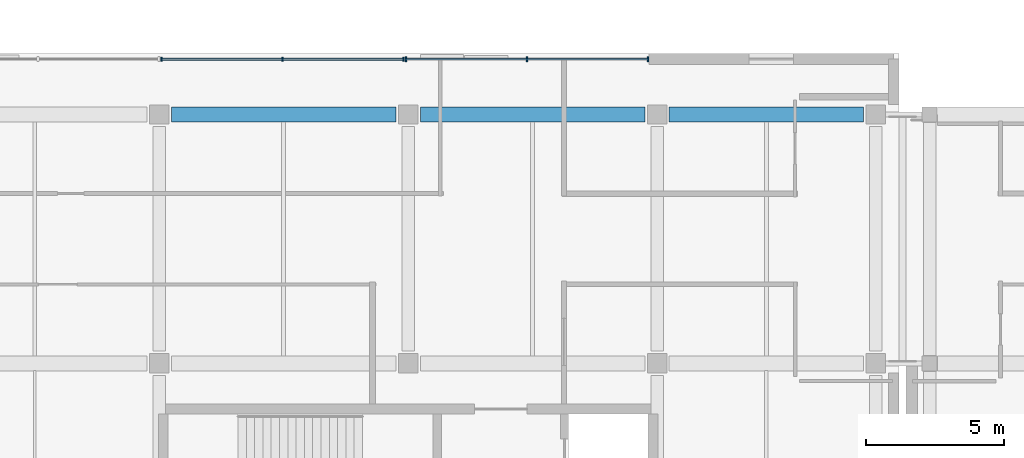
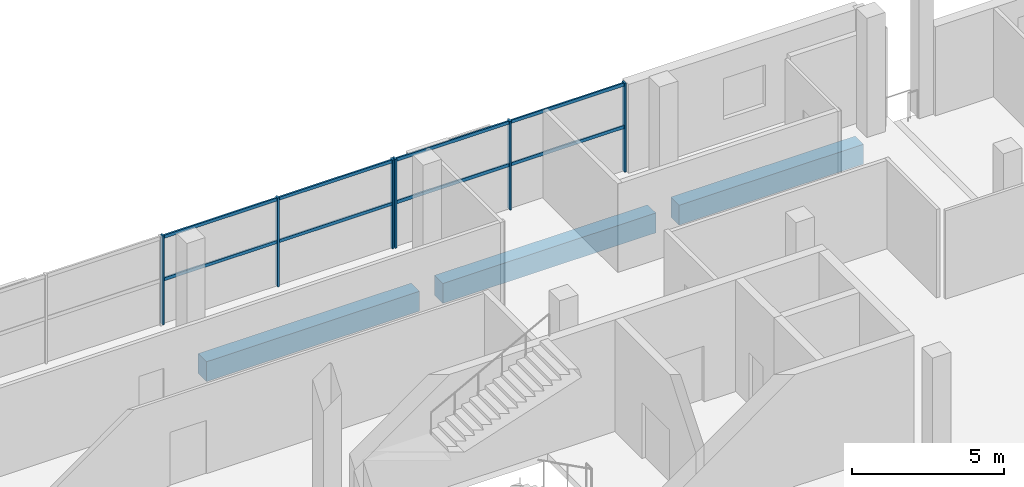
# One storey, part 51 of 111: 10 members, 3 beams, 2 elements without a shape of their own.
"""IFC4 building model written with IfcOpenShell, lengths in metres."""

from ifc_helpers import new_model, si_unit, direction, frame, origin, origin_2d, place, context, subcontext, project, spatial, rectangle, extrude, material, material_profile, profile_set, type_object, element, aggregate, save


model = new_model("IFC4")

# Units and contexts
model_context = context("Model", 3, precision=1e-05, world=origin(), true_north=direction((0.0, 1.0)))
body_context = subcontext(model_context, "Body", "Model", "MODEL_VIEW")
ifc_project = project(units=[si_unit("LENGTHUNIT", "METRE"), si_unit("AREAUNIT", "SQUARE_METRE"), si_unit("VOLUMEUNIT", "CUBIC_METRE"), si_unit("PLANEANGLEUNIT", "RADIAN"), si_unit("MASSUNIT", "GRAM", prefix="KILO"), si_unit("THERMODYNAMICTEMPERATUREUNIT", "KELVIN"), si_unit("POWERUNIT", "WATT")], contexts=[model_context])

# Site, building, storey
site_placement = place(None, origin())
site = spatial("IfcSite", under=ifc_project, at=site_placement, CompositionType="ELEMENT")
building_placement = place(site_placement, origin())
building = spatial("IfcBuilding", under=site, at=building_placement, Name="Sindhuravela Promenade Stadium", CompositionType="ELEMENT")
storey_placement = place(building_placement, frame((0.0, 0.0, 9.60009765625)))
storey = spatial("IfcBuildingStorey", under=building, at=storey_placement, Name="L02", CompositionType="ELEMENT", Elevation=9.60009765625)

# Curtain wall, members
ifc_material_1 = material(Name="Anodised architectural aluminium 6063-T6", Category="aluminium")
curtain_wall_type_1 = type_object("IfcCurtainWallType", Name="CW-MOD-4", PredefinedType="NOTDEFINED", material=ifc_material_1)
curtain_wall_1_placement = place(storey_placement, origin())
curtain_wall_1 = element("IfcCurtainWall", 1, at=curtain_wall_1_placement, inside=storey, type_object=curtain_wall_type_1, Name="Bronze curtain wall CW-NORTH-L02-163", PredefinedType="NOTDEFINED")
ifc_material_profile_1 = material_profile(ifc_material_1, rectangle(XDim=0.06494140625, YDim=0.14990234375, at=origin_2d()), Name="ALU MULL 65x150")
ifc_profile_set_1 = profile_set([ifc_material_profile_1], Name="Anodised architectural aluminium 6063-T6")
member_type_1 = type_object("IfcMemberType", Name="CW-MUL-2", PredefinedType="MULLION", material=ifc_profile_set_1)
member_1_placement = place(storey_placement, frame((135.08251953125, 155.0, 0.0), z_axis=(0.0, 0.0, 1.0), x_axis=(1.0, 0.0, 0.0)))
member_1 = element("IfcMember", 2, at=member_1_placement, type_object=member_type_1, Name="Curtain wall mullion CW-NORTH-L02-163-M1", PredefinedType="MULLION", context=body_context, shape_type="SweptSolid", body=[
    extrude(rectangle(XDim=0.06494140625, YDim=0.14990234375, at=origin_2d()), origin(), (0.0, 0.0, 1.0), 3.579833984375),
])
member_2_placement = place(storey_placement, frame((139.456298828125, 155.0, 0.0), z_axis=(0.0, 0.0, 1.0), x_axis=(1.0, 0.0, 0.0)))
member_2 = element("IfcMember", 3, at=member_2_placement, type_object=member_type_1, Name="Curtain wall mullion CW-NORTH-L02-163-M2", PredefinedType="MULLION", context=body_context, shape_type="SweptSolid", body=[
    extrude(rectangle(XDim=0.06494140625, YDim=0.14990234375, at=origin_2d()), origin(), (0.0, 0.0, 1.0), 3.579833984375),
])
member_3_placement = place(storey_placement, frame((143.830078125, 155.0, 0.0), z_axis=(0.0, 0.0, 1.0), x_axis=(1.0, 0.0, 0.0)))
member_3 = element("IfcMember", 4, at=member_3_placement, type_object=member_type_1, Name="Curtain wall mullion CW-NORTH-L02-163-M3", PredefinedType="MULLION", context=body_context, shape_type="SweptSolid", body=[
    extrude(rectangle(XDim=0.06494140625, YDim=0.14990234375, at=origin_2d()), origin(), (0.0, 0.0, 1.0), 3.579833984375),
])

curtain_wall_type_2 = type_object("IfcCurtainWallType", Name="CW-MOD-5", PredefinedType="NOTDEFINED", material=ifc_material_1)
curtain_wall_2_placement = place(storey_placement, origin())
curtain_wall_2 = element("IfcCurtainWall", 5, at=curtain_wall_2_placement, inside=storey, type_object=curtain_wall_type_2, Name="Bronze curtain wall CW-NORTH-L02-164", PredefinedType="NOTDEFINED")
ifc_material_profile_2 = material_profile(ifc_material_1, rectangle(XDim=0.06005859375, YDim=0.179931640625, at=origin_2d()), Name="ALU M60x180")
ifc_profile_set_2 = profile_set([ifc_material_profile_2], Name="Anodised architectural aluminium 6063-T6")
member_type_2 = type_object("IfcMemberType", Name="CW-MUL-3", PredefinedType="MULLION", material=ifc_profile_set_2)
member_4_placement = place(storey_placement, frame((143.919921875, 155.0, 0.0), z_axis=(0.0, 0.0, 1.0), x_axis=(1.0, 0.0, 0.0)))
member_4 = element("IfcMember", 6, at=member_4_placement, type_object=member_type_2, Name="Curtain wall mullion CW-NORTH-L02-164-M1", PredefinedType="MULLION", context=body_context, shape_type="SweptSolid", body=[
    extrude(rectangle(XDim=0.06005859375, YDim=0.179931640625, at=origin_2d()), origin(), (0.0, 0.0, 1.0), 3.579833984375),
])
member_5_placement = place(storey_placement, frame((148.293701171875, 155.0, 0.0), z_axis=(0.0, 0.0, 1.0), x_axis=(1.0, 0.0, 0.0)))
member_5 = element("IfcMember", 7, at=member_5_placement, type_object=member_type_2, Name="Curtain wall mullion CW-NORTH-L02-164-M2", PredefinedType="MULLION", context=body_context, shape_type="SweptSolid", body=[
    extrude(rectangle(XDim=0.06005859375, YDim=0.179931640625, at=origin_2d()), origin(), (0.0, 0.0, 1.0), 3.579833984375),
])
member_6_placement = place(storey_placement, frame((152.66748046875, 155.0, 0.0), z_axis=(0.0, 0.0, 1.0), x_axis=(1.0, 0.0, 0.0)))
member_6 = element("IfcMember", 8, at=member_6_placement, type_object=member_type_2, Name="Curtain wall mullion CW-NORTH-L02-164-M3", PredefinedType="MULLION", context=body_context, shape_type="SweptSolid", body=[
    extrude(rectangle(XDim=0.06005859375, YDim=0.179931640625, at=origin_2d()), origin(), (0.0, 0.0, 1.0), 3.579833984375),
])

# Member
ifc_material_profile_3 = material_profile(ifc_material_1, rectangle(XDim=0.06494140625, YDim=0.125, at=origin_2d()), Name="ALU TRAN 65x125")
ifc_profile_set_3 = profile_set([ifc_material_profile_3], Name="Anodised architectural aluminium 6063-T6")
member_type_3 = type_object("IfcMemberType", Name="CW-TRN-2", PredefinedType="USERDEFINED", material=ifc_profile_set_3)
member_7_placement = place(storey_placement, frame((135.0576171875, 155.0, 1.789794921875), z_axis=(1.0, 0.0, 0.0), x_axis=(0.0, 1.0, 0.0)))
member_7 = element("IfcMember", 9, at=member_7_placement, type_object=member_type_3, Name="Curtain wall transom CW-NORTH-L02-163-T1", ObjectType="TRANSOM", PredefinedType="USERDEFINED", context=body_context, shape_type="SweptSolid", body=[
    extrude(rectangle(XDim=0.06494140625, YDim=0.125, at=origin_2d()), origin(), (0.0, 0.0, 1.0), 8.79736328125),
])

member_8_placement = place(storey_placement, frame((135.0576171875, 155.0, 3.5), z_axis=(1.0, 0.0, 0.0), x_axis=(0.0, 1.0, 0.0)))
member_8 = element("IfcMember", 10, at=member_8_placement, type_object=member_type_3, Name="Curtain wall transom CW-NORTH-L02-163-T2", ObjectType="TRANSOM", PredefinedType="USERDEFINED", context=body_context, shape_type="SweptSolid", body=[
    extrude(rectangle(XDim=0.06494140625, YDim=0.125, at=origin_2d()), origin(), (0.0, 0.0, 1.0), 8.79736328125),
])

aggregate(curtain_wall_1, [member_1, member_2, member_3, member_7, member_8])

ifc_material_profile_4 = material_profile(ifc_material_1, rectangle(XDim=0.06005859375, YDim=0.1298828125, at=origin_2d()), Name="ALU T60x130")
ifc_profile_set_4 = profile_set([ifc_material_profile_4], Name="Anodised architectural aluminium 6063-T6")
member_type_4 = type_object("IfcMemberType", Name="CW-TRN-3", PredefinedType="USERDEFINED", material=ifc_profile_set_4)
member_9_placement = place(storey_placement, frame((143.89501953125, 155.0, 1.789794921875), z_axis=(1.0, 0.0, 0.0), x_axis=(0.0, 1.0, 0.0)))
member_9 = element("IfcMember", 11, at=member_9_placement, type_object=member_type_4, Name="Curtain wall transom CW-NORTH-L02-164-T1", ObjectType="TRANSOM", PredefinedType="USERDEFINED", context=body_context, shape_type="SweptSolid", body=[
    extrude(rectangle(XDim=0.06005859375, YDim=0.1298828125, at=origin_2d()), origin(), (0.0, 0.0, 1.0), 8.79736328125),
])

member_10_placement = place(storey_placement, frame((143.89501953125, 155.0, 3.5), z_axis=(1.0, 0.0, 0.0), x_axis=(0.0, 1.0, 0.0)))
member_10 = element("IfcMember", 12, at=member_10_placement, type_object=member_type_4, Name="Curtain wall transom CW-NORTH-L02-164-T2", ObjectType="TRANSOM", PredefinedType="USERDEFINED", context=body_context, shape_type="SweptSolid", body=[
    extrude(rectangle(XDim=0.06005859375, YDim=0.1298828125, at=origin_2d()), origin(), (0.0, 0.0, 1.0), 8.79736328125),
])

aggregate(curtain_wall_2, [member_4, member_5, member_6, member_9, member_10])

# Beams
ifc_material_2 = material(Name="Concrete M40", Category="concrete")
ifc_material_profile_5 = material_profile(ifc_material_2, rectangle(XDim=0.550048828125, YDim=0.800048828125, at=origin_2d()), Name="RC 550x800")
ifc_profile_set_5 = profile_set([ifc_material_profile_5], Name="Concrete M40")
beam_type = type_object("IfcBeamType", Name="RC-BM-550x800", PredefinedType="BEAM", material=ifc_profile_set_5)
for number, where, z_axis, x_axis, name in (
    (13, (135.43994140625, 153.0, -0.68017578125), (1.0, 0.0, 0.0), (0.0, 1.0, 0.0), "Primary girder GB05 NORTH L02"),
    (14, (144.43994140625, 153.0, -0.68017578125), (1.0, 0.0, 0.0), (0.0, 1.0, 0.0), "Primary girder GB05 NORTH L02"),
):
    element("IfcBeam", number, at=place(storey_placement, frame(where, z_axis=z_axis, x_axis=x_axis)), inside=storey, type_object=beam_type, Name=name, PredefinedType="BEAM", context=body_context, shape_type="SweptSolid", body=[
        extrude(rectangle(XDim=0.550048828125, YDim=0.800048828125, at=origin_2d()), origin(), (0.0, 0.0, 1.0), 8.1201171875),
    ])
beam_placement = place(storey_placement, frame((153.43994140625, 153.0, -0.68017578125), z_axis=(1.0, 0.0, 0.0), x_axis=(0.0, 1.0, 0.0)))
element("IfcBeam", 15, at=beam_placement, inside=storey, type_object=beam_type, Name="Primary girder GB05 NORTH L02", PredefinedType="BEAM", context=body_context, shape_type="SweptSolid", body=[
    extrude(rectangle(XDim=0.550048828125, YDim=0.800048828125, at=origin_2d()), origin(), (0.0, 0.0, 1.0), 7.02001953125),
])

save(model, "model.ifc")
